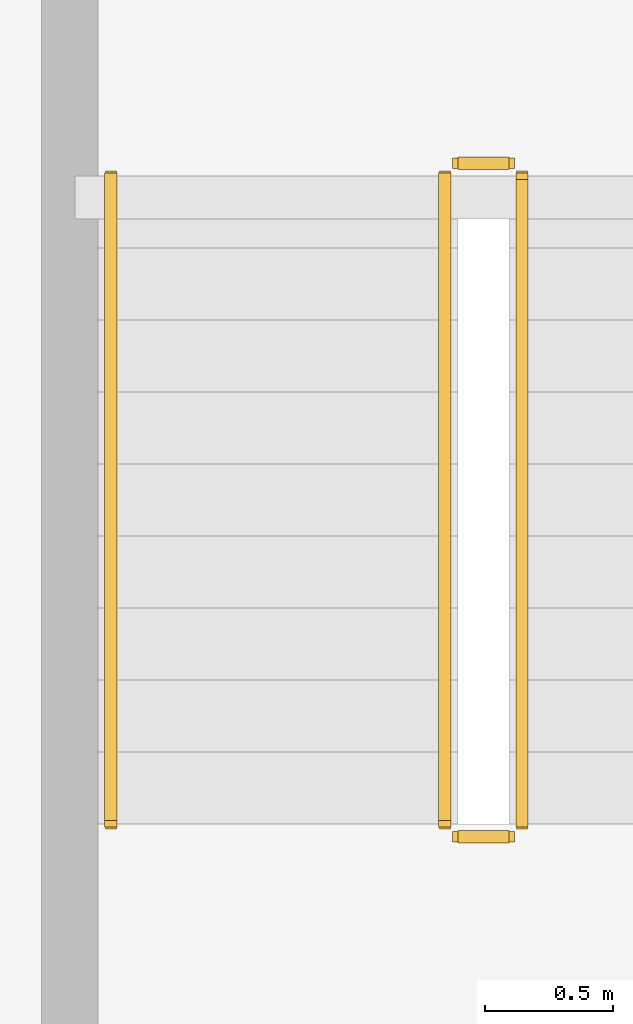
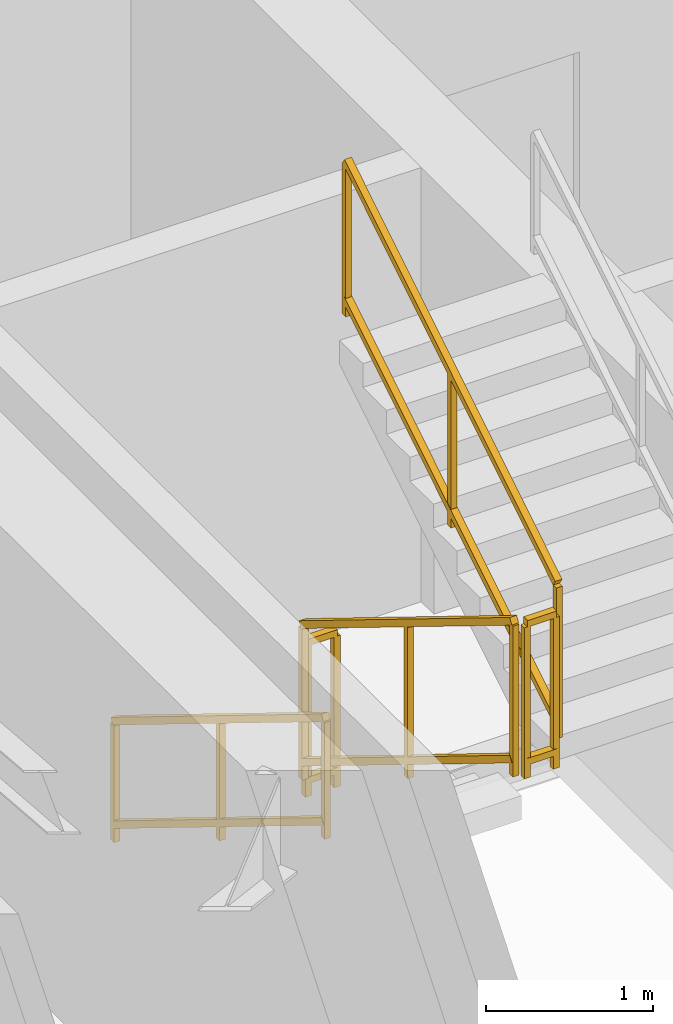
# One storey, part 27 of 29: 5 railings.
"""IFC4 building model written with IfcOpenShell, lengths in metres."""

from ifc_helpers import new_model, si_unit, direction, frame, origin, origin_2d, place, context, subcontext, project, spatial, rectangle, extrude, material, type_object, element, save


model = new_model("IFC4")

# Units and contexts
model_context = context("Model", 3, precision=1e-05, world=origin(), true_north=direction((0.0, 1.0)))
body_context = subcontext(model_context, "Body", "Model", "MODEL_VIEW")
ifc_project = project(units=[si_unit("LENGTHUNIT", "METRE"), si_unit("AREAUNIT", "SQUARE_METRE"), si_unit("VOLUMEUNIT", "CUBIC_METRE"), si_unit("PLANEANGLEUNIT", "RADIAN"), si_unit("MASSUNIT", "GRAM", prefix="KILO")], contexts=[model_context])

# Site, building, storey
site_placement = place(None, origin())
site = spatial("IfcSite", under=ifc_project, at=site_placement, CompositionType="ELEMENT")
building_placement = place(site_placement, origin())
building = spatial("IfcBuilding", under=site, at=building_placement, Name="Qarnah Convention Tower", CompositionType="ELEMENT")
storey_placement = place(building_placement, frame((0.0, 0.0, 97.050048828125)))
storey = spatial("IfcBuildingStorey", under=building, at=storey_placement, Name="L25", CompositionType="ELEMENT", Elevation=97.050048828125)

# Railings
ifc_material = material(Name="Structural steel S355JR", Category="steel")
railing_type_1 = type_object("IfcRailingType", Name="RL-STAIR-GUARD-1150", PredefinedType="GUARDRAIL", material=ifc_material)
railing_1_placement = place(storey_placement, frame((28.89990234375, 25.300048828125, 0.17236328125)))
element("IfcRailing", 1, at=railing_1_placement, inside=storey, type_object=railing_type_1, Name="L25 ST-1 stair guard 1", PredefinedType="GUARDRAIL", context=body_context, shape_type="SweptSolid", body=[
    extrude(rectangle(XDim=0.048095703125, YDim=0.048095703125, at=origin_2d()), frame((0.0, 0.0, 1.1259765625), z_axis=(0.0, -0.851400495292, 0.524516154772), x_axis=(1.0, 0.0, 0.0)), (0.0, 0.0, 1.0), 2.9599609375),
    extrude(rectangle(XDim=0.048095703125, YDim=0.048095703125, at=origin_2d()), frame((0.0, 0.0, 0.1201171875), z_axis=(0.0, -0.851400495292, 0.524516154772), x_axis=(1.0, 0.0, 0.0)), (0.0, 0.0, 1.0), 2.9599609375),
    extrude(rectangle(XDim=0.0419921875, YDim=0.0419921875, at=origin_2d()), origin(), (0.0, 0.0, 1.0), 1.101806640625),
    extrude(rectangle(XDim=0.0419921875, YDim=0.0419921875, at=origin_2d()), frame((0.0, -1.260009765625, 0.7763671875)), (0.0, 0.0, 1.0), 1.101806640625),
    extrude(rectangle(XDim=0.0419921875, YDim=0.0419921875, at=origin_2d()), frame((0.0, -2.52001953125, 1.552490234375)), (0.0, 0.0, 1.0), 1.101806640625),
])
railing_2_placement = place(storey_placement, frame((28.949951171875, 22.72998046875, 1.724853515625)))
element("IfcRailing", 2, at=railing_2_placement, inside=storey, type_object=railing_type_1, Name="L25 ST-1 stair guard 2", PredefinedType="GUARDRAIL", context=body_context, shape_type="SweptSolid", body=[
    extrude(rectangle(XDim=0.048095703125, YDim=0.048095703125, at=origin_2d()), frame((0.0, 0.0, 1.1259765625), z_axis=(1.0, 0.0, 0.0), x_axis=(0.0, 1.0, 0.0)), (0.0, 0.0, 1.0), 0.199951171875),
    extrude(rectangle(XDim=0.048095703125, YDim=0.048095703125, at=origin_2d()), frame((0.0, 0.0, 0.1201171875), z_axis=(1.0, 0.0, 0.0), x_axis=(0.0, 1.0, 0.0)), (0.0, 0.0, 1.0), 0.199951171875),
    extrude(rectangle(XDim=0.0419921875, YDim=0.0419921875, at=origin_2d()), origin(), (0.0, 0.0, 1.0), 1.101806640625),
    extrude(rectangle(XDim=0.0419921875, YDim=0.0419921875, at=origin_2d()), frame((0.199951171875, 0.0, 0.0)), (0.0, 0.0, 1.0), 1.101806640625),
])
railing_3_placement = place(storey_placement, frame((29.199951171875, 22.780029296875, 1.8974609375)))
element("IfcRailing", 3, at=railing_3_placement, inside=storey, type_object=railing_type_1, Name="L25 ST-1 stair guard 3", PredefinedType="GUARDRAIL", context=body_context, shape_type="SweptSolid", body=[
    extrude(rectangle(XDim=0.048095703125, YDim=0.048095703125, at=origin_2d()), frame((0.0, 0.0, 1.1259765625), z_axis=(0.0, 0.851400495292, 0.524516154772), x_axis=(-1.0, 0.0, 0.0)), (0.0, 0.0, 1.0), 2.9599609375),
    extrude(rectangle(XDim=0.048095703125, YDim=0.048095703125, at=origin_2d()), frame((0.0, 0.0, 0.1201171875), z_axis=(0.0, 0.851400495292, 0.524516154772), x_axis=(-1.0, 0.0, 0.0)), (0.0, 0.0, 1.0), 2.9599609375),
    extrude(rectangle(XDim=0.0419921875, YDim=0.0419921875, at=origin_2d()), origin(), (0.0, 0.0, 1.0), 1.101806640625),
    extrude(rectangle(XDim=0.0419921875, YDim=0.0419921875, at=origin_2d()), frame((0.0, 1.260009765625, 0.7763671875)), (0.0, 0.0, 1.0), 1.101806640625),
    extrude(rectangle(XDim=0.0419921875, YDim=0.0419921875, at=origin_2d()), frame((0.0, 2.52001953125, 1.552490234375)), (0.0, 0.0, 1.0), 1.101806640625),
])
railing_4_placement = place(storey_placement, frame((28.949951171875, 25.35009765625, 0.0)))
element("IfcRailing", 4, at=railing_4_placement, inside=storey, type_object=railing_type_1, Name="L25 ST-1 stair guard 4", PredefinedType="GUARDRAIL", context=body_context, shape_type="SweptSolid", body=[
    extrude(rectangle(XDim=0.048095703125, YDim=0.048095703125, at=origin_2d()), frame((0.0, 0.0, 1.1259765625), z_axis=(1.0, 0.0, 0.0), x_axis=(0.0, 1.0, 0.0)), (0.0, 0.0, 1.0), 0.199951171875),
    extrude(rectangle(XDim=0.048095703125, YDim=0.048095703125, at=origin_2d()), frame((0.0, 0.0, 0.1201171875), z_axis=(1.0, 0.0, 0.0), x_axis=(0.0, 1.0, 0.0)), (0.0, 0.0, 1.0), 0.199951171875),
    extrude(rectangle(XDim=0.0419921875, YDim=0.0419921875, at=origin_2d()), origin(), (0.0, 0.0, 1.0), 1.101806640625),
    extrude(rectangle(XDim=0.0419921875, YDim=0.0419921875, at=origin_2d()), frame((0.199951171875, 0.0, 0.0)), (0.0, 0.0, 1.0), 1.101806640625),
])
railing_type_2 = type_object("IfcRailingType", Name="RL-STAIR-HAND-900", PredefinedType="HANDRAIL", material=ifc_material)
railing_5_placement = place(storey_placement, frame((27.60009765625, 25.300048828125, 0.17236328125)))
element("IfcRailing", 5, at=railing_5_placement, inside=storey, type_object=railing_type_2, Name="L25 ST-1 stair handrail 1", PredefinedType="HANDRAIL", context=body_context, shape_type="SweptSolid", body=[
    extrude(rectangle(XDim=0.048095703125, YDim=0.048095703125, at=origin_2d()), frame((0.0, 0.0, 0.8759765625), z_axis=(0.0, -0.851400495292, 0.524516154772), x_axis=(1.0, 0.0, 0.0)), (0.0, 0.0, 1.0), 2.9599609375),
    extrude(rectangle(XDim=0.048095703125, YDim=0.048095703125, at=origin_2d()), frame((0.0, 0.0, 0.1201171875), z_axis=(0.0, -0.851400495292, 0.524516154772), x_axis=(1.0, 0.0, 0.0)), (0.0, 0.0, 1.0), 2.9599609375),
    extrude(rectangle(XDim=0.0419921875, YDim=0.0419921875, at=origin_2d()), origin(), (0.0, 0.0, 1.0), 0.851806640625),
    extrude(rectangle(XDim=0.0419921875, YDim=0.0419921875, at=origin_2d()), frame((0.0, -1.260009765625, 0.7763671875)), (0.0, 0.0, 1.0), 0.851806640625),
    extrude(rectangle(XDim=0.0419921875, YDim=0.0419921875, at=origin_2d()), frame((0.0, -2.52001953125, 1.552490234375)), (0.0, 0.0, 1.0), 0.851806640625),
])

save(model, "model.ifc")
